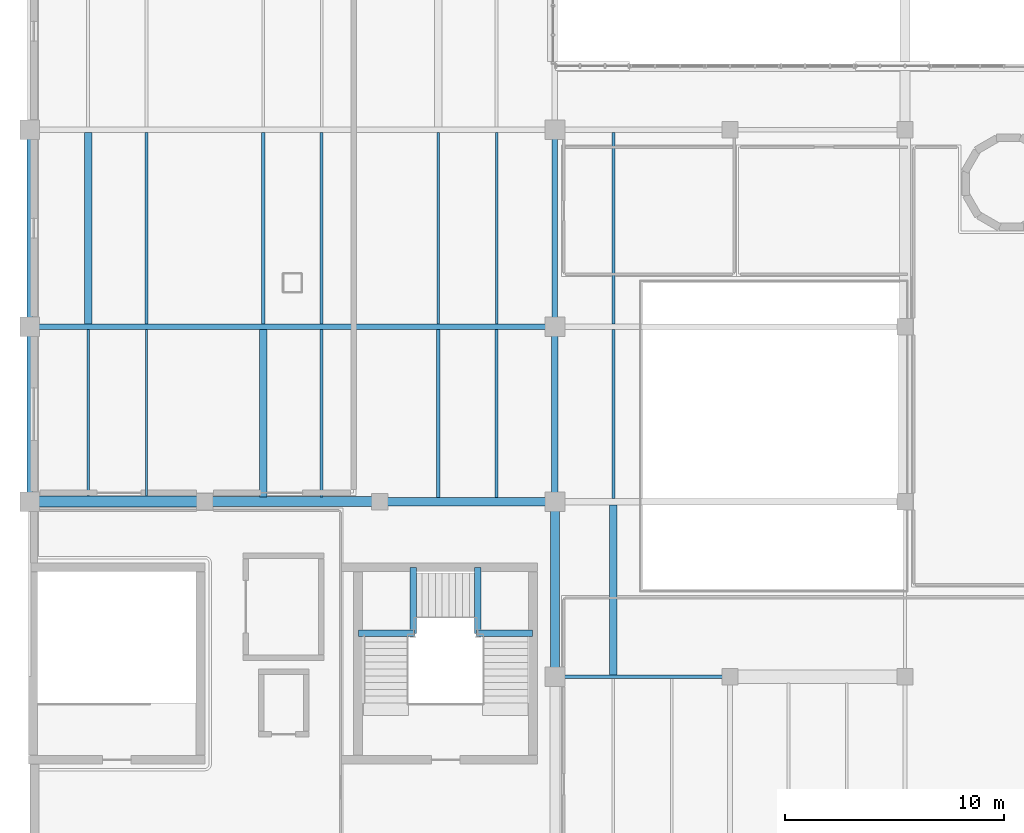
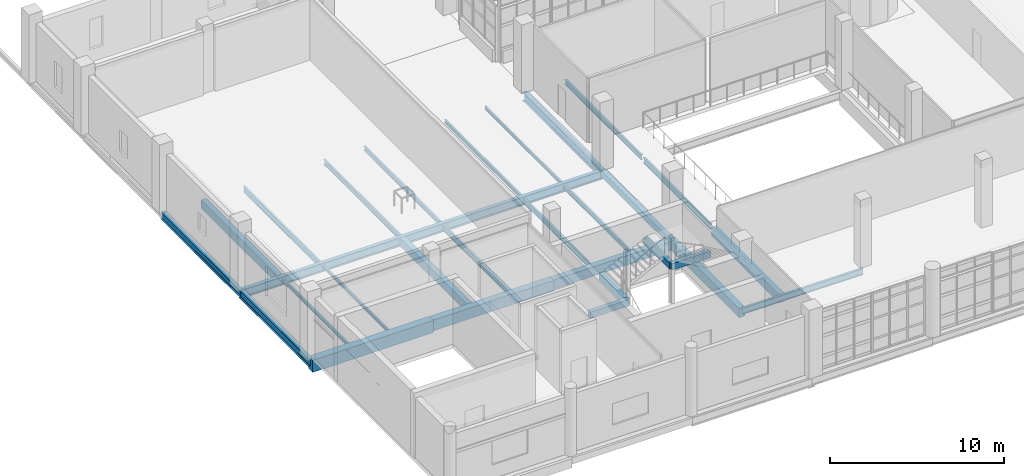
# One storey, part 16 of 100: 29 beams.
"""IFC4 building model written with IfcOpenShell, lengths in metres."""

import ifcopenshell
import ifcopenshell.guid

model = None  # the IFC model being written
_history = None  # IfcOwnerHistory: only IFC2X3 demands one
_inside = {}  # id of a spatial element -> (the spatial element, [elements in it])
_under = {}  # id of a project, library or spatial element -> (it, [spatial elements below it])
_declared = {}  # id of a project -> (the project, [libraries it declares])
_typed = {}  # id of a type object -> (the type object, [elements of that type])
_made_of = {}  # id of a material, layer set ... -> (it, [elements and type objects made of it])


def new_model(schema):
    """Start an empty IFC model of exactly this schema.

    Asked for "IFC4X3", IfcOpenShell would pick the latest addendum, in which some entities
    have other attributes; the version numbers below select the first issue.
    IFC2X3 requires an IfcOwnerHistory on every rooted entity: one is made here for all.
    """
    global model, _history
    if schema == "IFC4X3":
        model = ifcopenshell.file(schema_version=(4, 3, 0, 0))
    else:
        model = ifcopenshell.file(schema=schema)
    _inside.clear()
    _under.clear()
    _declared.clear()
    _typed.clear()
    _made_of.clear()
    _history = None
    if model.schema == "IFC2X3":
        org = make("IfcOrganization", Name="unknown")
        user = make(
            "IfcPersonAndOrganization",
            ThePerson=make("IfcPerson", FamilyName="unknown"),
            TheOrganization=org,
        )
        app = make(
            "IfcApplication",
            ApplicationDeveloper=org,
            Version="unknown",
            ApplicationFullName="unknown",
            ApplicationIdentifier="unknown",
        )
        _history = make(
            "IfcOwnerHistory",
            OwningUser=user,
            OwningApplication=app,
            ChangeAction="ADDED",
            CreationDate=0,
        )
    return model


def make(cls, **values):
    """One entity of the class cls with the attributes given. An attribute that is None is left unset."""
    return model.create_entity(
        cls, **{name: value for name, value in values.items() if value is not None}
    )


def rooted(cls, **values):
    """An entity with a GlobalId (a new one), such as an element, a storey or a relation."""
    return make(cls, GlobalId=ifcopenshell.guid.new(), OwnerHistory=_history, **values)


def si_unit(unit_type, name, prefix=None):
    """IfcSIUnit, for example si_unit("LENGTHUNIT", "METRE", prefix="MILLI")."""
    return make("IfcSIUnit", UnitType=unit_type, Prefix=prefix, Name=name)


def derived_unit(unit_type, elements):
    """IfcDerivedUnit: a product of units, each with its exponent."""
    return make(
        "IfcDerivedUnit",
        Elements=[
            make("IfcDerivedUnitElement", Unit=unit, Exponent=power)
            for unit, power in elements
        ],
        UnitType=unit_type,
    )


def assignment(units):
    """IfcUnitAssignment: the units of a project."""
    return None if units is None else make("IfcUnitAssignment", Units=units)


def point(xyz):
    """IfcCartesianPoint."""
    return None if xyz is None else make("IfcCartesianPoint", Coordinates=xyz)


def direction(xyz):
    """IfcDirection."""
    return None if xyz is None else make("IfcDirection", DirectionRatios=xyz)


def frame(location, z_axis=None, x_axis=None):
    """IfcAxis2Placement3D, a coordinate frame: its origin and axes. An axis left out is left unset."""
    return make(
        "IfcAxis2Placement3D",
        Location=point(location),
        Axis=direction(z_axis),
        RefDirection=direction(x_axis),
    )


def frame_2d(location, x_axis=None):
    """IfcAxis2Placement2D, a coordinate frame in the plane: its origin and x axis."""
    return make(
        "IfcAxis2Placement2D", Location=point(location), RefDirection=direction(x_axis)
    )


def origin():
    """The frame at (0, 0, 0) with its axes left unset."""
    return frame((0.0, 0.0, 0.0))


def origin_2d():
    """The frame at (0, 0) in the plane with its x axis left unset."""
    return frame_2d((0.0, 0.0))


def place(relative_to, where):
    """IfcLocalPlacement: puts the frame where relative to a parent placement (None: the world)."""
    return make(
        "IfcLocalPlacement", PlacementRelTo=relative_to, RelativePlacement=where
    )


def context(
    kind, dimensions, precision=None, world=None, true_north=None, identifier=None
):
    """IfcGeometricRepresentationContext, for example the 3D "Model" context."""
    return make(
        "IfcGeometricRepresentationContext",
        ContextIdentifier=identifier,
        ContextType=kind,
        CoordinateSpaceDimension=dimensions,
        Precision=precision,
        WorldCoordinateSystem=world,
        TrueNorth=true_north,
    )


def subcontext(parent, identifier, kind, view, scale=None):
    """IfcGeometricRepresentationSubContext, for example "Body" below "Model"."""
    return make(
        "IfcGeometricRepresentationSubContext",
        ContextIdentifier=identifier,
        ContextType=kind,
        ParentContext=parent,
        TargetScale=scale,
        TargetView=view,
    )


def project(units=None, contexts=None):
    """IfcProject with its units and contexts."""
    return rooted(
        "IfcProject",
        Name="project",
        RepresentationContexts=contexts,
        UnitsInContext=assignment(units),
    )


def spatial(cls, under=None, at=None, **own):
    """A site, building, storey or space (cls), placed at a placement, below another one or the project."""
    s = rooted(cls, ObjectPlacement=at, **own)
    if under is not None:
        _under.setdefault(under.id(), (under, []))[1].append(s)
    return s


def profile(cls, at=None, kind="AREA", **sizes):
    """A parametric profile (cls). Its sizes go by their IFC names, for example OverallWidth=200.0."""
    return make(cls, ProfileType=kind, Position=at, **sizes)


def rectangle(**sizes):
    """IfcRectangleProfileDef."""
    return profile("IfcRectangleProfileDef", **sizes)


def i_section(**sizes):
    """IfcIShapeProfileDef."""
    return profile("IfcIShapeProfileDef", **sizes)


def extrude(swept, where, along, depth):
    """IfcExtrudedAreaSolid: the profile swept, set in the frame where, extruded along a direction by depth."""
    return make(
        "IfcExtrudedAreaSolid",
        SweptArea=swept,
        Position=where,
        ExtrudedDirection=direction(along),
        Depth=depth,
    )


def shape(context_of_items, identifier, shape_type, items):
    """IfcShapeRepresentation: the items that make up one representation, for example the "Body"."""
    return make(
        "IfcShapeRepresentation",
        ContextOfItems=context_of_items,
        RepresentationIdentifier=identifier,
        RepresentationType=shape_type,
        Items=items,
    )


def material(Name=None, Category=None):
    """IfcMaterial."""
    return make("IfcMaterial", Name=Name, Category=Category)


def material_profile(
    of_material, cross_section, Name=None, Category=None, Priority=None
):
    """IfcMaterialProfile: a cross section and its material."""
    return make(
        "IfcMaterialProfile",
        Name=Name,
        Material=of_material,
        Profile=cross_section,
        Priority=Priority,
        Category=Category,
    )


def profile_set(profiles, Name=None, composite=None):
    """IfcMaterialProfileSet."""
    return make(
        "IfcMaterialProfileSet",
        Name=Name,
        MaterialProfiles=profiles,
        CompositeProfile=composite,
    )


def made_of(thing, what):
    """Note that an element or type object is made of a material, layer set ...; save() writes the relation."""
    if what is not None:
        _made_of.setdefault(what.id(), (what, []))[1].append(thing)
    return thing


def type_object(cls, material=None, **own):
    """A type object (cls), such as IfcWallType, which elements share."""
    return made_of(rooted(cls, **own), material)


def element(
    cls,
    number,
    at=None,
    inside=None,
    cuts=None,
    type_object=None,
    material=None,
    context=None,
    identifier="Body",
    shape_type=None,
    held_by="IfcProductDefinitionShape",
    body=None,
    shapes=None,
    **own,
):
    """One element of the class cls, such as IfcWall. Its Tag is "e" and its number.

    at: its placement. inside: the storey or other place that contains it. cuts: it is an
    opening in that element (IfcRelVoidsElement). A single representation is given by context,
    identifier, shape_type and body (its items); several are given by shapes. held_by: the class
    of the entity that holds the representations. save() writes the other relations.
    """
    e = rooted(cls, Tag="e%d" % number, ObjectPlacement=at, **own)
    if body is not None:
        shapes = [shape(context, identifier, shape_type, body)]
    if shapes is not None:
        e.Representation = make(held_by, Representations=shapes)
    if inside is not None:
        _inside.setdefault(inside.id(), (inside, []))[1].append(e)
    if cuts is not None:
        rooted(
            "IfcRelVoidsElement", RelatingBuildingElement=cuts, RelatedOpeningElement=e
        )
    if type_object is not None:
        _typed.setdefault(type_object.id(), (type_object, []))[1].append(e)
    return made_of(e, material)


def aggregate(whole, parts):
    """IfcRelAggregates: a whole, such as a stair, and the parts it consists of."""
    return rooted("IfcRelAggregates", RelatingObject=whole, RelatedObjects=parts)


def save(model, path):
    """Write the relations noted so far, then the file.

    IfcRelAggregates (storeys below a building ...), IfcRelContainedInSpatialStructure (elements
    in a storey), IfcRelDefinesByType, IfcRelAssociatesMaterial and IfcRelDeclares: one each for
    every whole, place, type object, material and project.
    """
    for whole, parts in _under.values():
        aggregate(whole, parts)
    for where, things in _inside.values():
        rooted(
            "IfcRelContainedInSpatialStructure",
            RelatedElements=things,
            RelatingStructure=where,
        )
    for kind, things in _typed.values():
        rooted("IfcRelDefinesByType", RelatedObjects=things, RelatingType=kind)
    for what, things in _made_of.values():
        rooted("IfcRelAssociatesMaterial", RelatedObjects=things, RelatingMaterial=what)
    for by, libraries in _declared.values():
        rooted("IfcRelDeclares", RelatingContext=by, RelatedDefinitions=libraries)
    model.write(path)


model = new_model("IFC4")

# Units and contexts
model_context = context("Model", 3, precision=1e-05, world=origin(), true_north=direction((0.0, 1.0)))
body_context = subcontext(model_context, "Body", "Model", "MODEL_VIEW")
ifc_project = project(units=[si_unit("LENGTHUNIT", "METRE"), si_unit("AREAUNIT", "SQUARE_METRE"), si_unit("VOLUMEUNIT", "CUBIC_METRE"), si_unit("PLANEANGLEUNIT", "RADIAN"), si_unit("MASSUNIT", "GRAM", prefix="KILO"), derived_unit("THERMALTRANSMITTANCEUNIT", [(si_unit("POWERUNIT", "WATT"), 1), (si_unit("LENGTHUNIT", "METRE"), -2), (si_unit("THERMODYNAMICTEMPERATUREUNIT", "KELVIN"), -1)])], contexts=[model_context])

# Site, building, storey
site_placement = place(None, origin())
site = spatial("IfcSite", under=ifc_project, at=site_placement, CompositionType="ELEMENT")
building_placement = place(site_placement, origin())
building = spatial("IfcBuilding", under=site, at=building_placement, Name="Nallur Shell Playhouse", CompositionType="ELEMENT")
storey_placement = place(building_placement, frame((0.0, 0.0, 10.199951171875)))
storey = spatial("IfcBuildingStorey", under=building, at=storey_placement, Name="L03", CompositionType="ELEMENT", Elevation=10.199951171875)

# Beams
ifc_material_1 = material(Name="Steel E250", Category="steel")
ifc_material_profile_1 = material_profile(ifc_material_1, i_section(OverallWidth=0.110107421875, OverallDepth=0.22509765625, WebThickness=0.006591796875, FlangeThickness=0.01171875, FilletRadius=0.011962890625, at=origin_2d()), Name="ISMB 225")
ifc_profile_set_1 = profile_set([ifc_material_profile_1], Name="Steel E250")
beam_type_1 = type_object("IfcBeamType", Name="BM-JST-ISMB225", PredefinedType="JOIST", material=ifc_profile_set_1)
beam_1_placement = place(storey_placement, frame((21.333251953125, 24.248046875, -0.37255859375), z_axis=(0.0, 1.0, 0.0), x_axis=(-1.0, 0.0, 0.0)))
element("IfcBeam", 1, at=beam_1_placement, inside=storey, type_object=beam_type_1, Name="L03 secondary joist 2-C-689", PredefinedType="JOIST", context=body_context, shape_type="SweptSolid", body=[
    extrude(i_section(OverallWidth=0.110107421875, OverallDepth=0.22509765625, WebThickness=0.006591796875, FlangeThickness=0.01171875, FilletRadius=0.011962890625, at=origin_2d()), origin(), (0.0, 0.0, 1.0), 7.62890625),
])
beam_2_placement = place(storey_placement, frame((37.333251953125, 32.123046875, -0.37255859375), z_axis=(0.0, 1.0, 0.0), x_axis=(-1.0, 0.0, 0.0)))
element("IfcBeam", 2, at=beam_2_placement, inside=storey, type_object=beam_type_1, Name="L03 secondary joist 4-D-707", PredefinedType="JOIST", context=body_context, shape_type="SweptSolid", body=[
    extrude(i_section(OverallWidth=0.110107421875, OverallDepth=0.22509765625, WebThickness=0.006591796875, FlangeThickness=0.01171875, FilletRadius=0.011962890625, at=origin_2d()), origin(), (0.0, 0.0, 1.0), 8.75390625),
])
ifc_material_profile_2 = material_profile(ifc_material_1, i_section(OverallWidth=0.125, OverallDepth=0.25, WebThickness=0.0068359375, FlangeThickness=0.012451171875, FilletRadius=0.012939453125, at=origin_2d()), Name="ISMB 250")
ifc_profile_set_2 = profile_set([ifc_material_profile_2], Name="Steel E250")
beam_type_2 = type_object("IfcBeamType", Name="BM-JST-ISMB250", PredefinedType="JOIST", material=ifc_profile_set_2)
beam_3_placement = place(storey_placement, frame((18.666748046875, 24.248046875, -0.385009765625), z_axis=(0.0, 1.0, 0.0), x_axis=(-1.0, 0.0, 0.0)))
element("IfcBeam", 3, at=beam_3_placement, inside=storey, type_object=beam_type_2, Name="L03 secondary joist 2-C-688", PredefinedType="JOIST", context=body_context, shape_type="SweptSolid", body=[
    extrude(i_section(OverallWidth=0.125, OverallDepth=0.25, WebThickness=0.0068359375, FlangeThickness=0.012451171875, FilletRadius=0.012939453125, at=origin_2d()), origin(), (0.0, 0.0, 1.0), 7.62890625),
])
beam_4_placement = place(storey_placement, frame((34.666748046875, 32.123046875, -0.385009765625), z_axis=(0.0, 1.0, 0.0), x_axis=(-1.0, 0.0, 0.0)))
element("IfcBeam", 4, at=beam_4_placement, inside=storey, type_object=beam_type_2, Name="L03 secondary joist 4-D-706", PredefinedType="JOIST", context=body_context, shape_type="SweptSolid", body=[
    extrude(i_section(OverallWidth=0.125, OverallDepth=0.25, WebThickness=0.0068359375, FlangeThickness=0.012451171875, FilletRadius=0.012939453125, at=origin_2d()), origin(), (0.0, 0.0, 1.0), 8.75390625),
])
ifc_material_profile_3 = material_profile(ifc_material_1, i_section(OverallWidth=0.139892578125, OverallDepth=0.300048828125, WebThickness=0.0078125, FlangeThickness=0.01318359375, FilletRadius=0.013916015625, at=origin_2d()), Name="ISMB 300")
ifc_profile_set_3 = profile_set([ifc_material_profile_3], Name="Steel E250")
beam_type_3 = type_object("IfcBeamType", Name="BM-JST-ISMB300", PredefinedType="JOIST", material=ifc_profile_set_3)
beam_5_placement = place(storey_placement, frame((29.333251953125, 32.123046875, -0.409912109375), z_axis=(0.0, 1.0, 0.0), x_axis=(-1.0, 0.0, 0.0)))
element("IfcBeam", 5, at=beam_5_placement, inside=storey, type_object=beam_type_3, Name="L03 secondary joist 3-D-699", PredefinedType="JOIST", context=body_context, shape_type="SweptSolid", body=[
    extrude(i_section(OverallWidth=0.139892578125, OverallDepth=0.300048828125, WebThickness=0.0078125, FlangeThickness=0.01318359375, FilletRadius=0.013916015625, at=origin_2d()), origin(), (0.0, 0.0, 1.0), 8.75390625),
])
beam_6_placement = place(storey_placement, frame((37.333251953125, 24.197998046875, -0.409912109375), z_axis=(0.0, 1.0, 0.0), x_axis=(-1.0, 0.0, 0.0)))
element("IfcBeam", 6, at=beam_6_placement, inside=storey, type_object=beam_type_3, Name="L03 secondary joist 4-C-705", PredefinedType="JOIST", context=body_context, shape_type="SweptSolid", body=[
    extrude(i_section(OverallWidth=0.139892578125, OverallDepth=0.300048828125, WebThickness=0.0078125, FlangeThickness=0.01318359375, FilletRadius=0.013916015625, at=origin_2d()), origin(), (0.0, 0.0, 1.0), 7.678955078125),
])
ifc_material_profile_4 = material_profile(ifc_material_1, i_section(OverallWidth=0.139892578125, OverallDepth=0.35009765625, WebThickness=0.008056640625, FlangeThickness=0.01416015625, FilletRadius=0.013916015625, at=origin_2d()), Name="ISMB 350")
ifc_profile_set_4 = profile_set([ifc_material_profile_4], Name="Steel E250")
beam_type_4 = type_object("IfcBeamType", Name="BM-JST-ISMB350", PredefinedType="JOIST", material=ifc_profile_set_4)
beam_7_placement = place(storey_placement, frame((26.666748046875, 32.123046875, -0.43505859375), z_axis=(0.0, 1.0, 0.0), x_axis=(-1.0, 0.0, 0.0)))
element("IfcBeam", 7, at=beam_7_placement, inside=storey, type_object=beam_type_4, Name="L03 secondary joist 3-D-698", PredefinedType="JOIST", context=body_context, shape_type="SweptSolid", body=[
    extrude(i_section(OverallWidth=0.139892578125, OverallDepth=0.35009765625, WebThickness=0.008056640625, FlangeThickness=0.01416015625, FilletRadius=0.013916015625, at=origin_2d()), origin(), (0.0, 0.0, 1.0), 8.75390625),
])
beam_8_placement = place(storey_placement, frame((34.666748046875, 24.197998046875, -0.43505859375), z_axis=(0.0, 1.0, 0.0), x_axis=(-1.0, 0.0, 0.0)))
element("IfcBeam", 8, at=beam_8_placement, inside=storey, type_object=beam_type_4, Name="L03 secondary joist 4-C-704", PredefinedType="JOIST", context=body_context, shape_type="SweptSolid", body=[
    extrude(i_section(OverallWidth=0.139892578125, OverallDepth=0.35009765625, WebThickness=0.008056640625, FlangeThickness=0.01416015625, FilletRadius=0.013916015625, at=origin_2d()), origin(), (0.0, 0.0, 1.0), 7.678955078125),
])
beam_9_placement = place(storey_placement, frame((42.666748046875, 32.123046875, -0.43505859375), z_axis=(0.0, 1.0, 0.0), x_axis=(-1.0, 0.0, 0.0)))
element("IfcBeam", 9, at=beam_9_placement, inside=storey, type_object=beam_type_4, Name="L03 secondary joist 5-D-716", PredefinedType="JOIST", context=body_context, shape_type="SweptSolid", body=[
    extrude(i_section(OverallWidth=0.139892578125, OverallDepth=0.35009765625, WebThickness=0.008056640625, FlangeThickness=0.01416015625, FilletRadius=0.013916015625, at=origin_2d()), origin(), (0.0, 0.0, 1.0), 8.75390625),
])
ifc_material_profile_5 = material_profile(ifc_material_1, i_section(OverallWidth=0.139892578125, OverallDepth=0.39990234375, WebThickness=0.0087890625, FlangeThickness=0.01611328125, FilletRadius=0.013916015625, at=origin_2d()), Name="ISMB 400")
ifc_profile_set_5 = profile_set([ifc_material_profile_5], Name="Steel E250")
beam_type_5 = type_object("IfcBeamType", Name="BM-JST-ISMB400", PredefinedType="JOIST", material=ifc_profile_set_5)
beam_10_placement = place(storey_placement, frame((21.333251953125, 32.123046875, -0.4599609375), z_axis=(0.0, 1.0, 0.0), x_axis=(-1.0, 0.0, 0.0)))
element("IfcBeam", 10, at=beam_10_placement, inside=storey, type_object=beam_type_5, Name="L03 secondary joist 2-D-691", PredefinedType="JOIST", context=body_context, shape_type="SweptSolid", body=[
    extrude(i_section(OverallWidth=0.139892578125, OverallDepth=0.39990234375, WebThickness=0.0087890625, FlangeThickness=0.01611328125, FilletRadius=0.013916015625, at=origin_2d()), origin(), (0.0, 0.0, 1.0), 8.75390625),
])
beam_11_placement = place(storey_placement, frame((29.333251953125, 24.222900390625, -0.4599609375), z_axis=(0.0, 1.0, 0.0), x_axis=(-1.0, 0.0, 0.0)))
element("IfcBeam", 11, at=beam_11_placement, inside=storey, type_object=beam_type_5, Name="L03 secondary joist 3-C-697", PredefinedType="JOIST", context=body_context, shape_type="SweptSolid", body=[
    extrude(i_section(OverallWidth=0.139892578125, OverallDepth=0.39990234375, WebThickness=0.0087890625, FlangeThickness=0.01611328125, FilletRadius=0.013916015625, at=origin_2d()), origin(), (0.0, 0.0, 1.0), 7.654052734375),
])
beam_12_placement = place(storey_placement, frame((42.666748046875, 24.14794921875, -0.4599609375), z_axis=(0.0, 1.0, 0.0), x_axis=(-1.0, 0.0, 0.0)))
element("IfcBeam", 12, at=beam_12_placement, inside=storey, type_object=beam_type_5, Name="L03 secondary joist 5-C-715", PredefinedType="JOIST", context=body_context, shape_type="SweptSolid", body=[
    extrude(i_section(OverallWidth=0.139892578125, OverallDepth=0.39990234375, WebThickness=0.0087890625, FlangeThickness=0.01611328125, FilletRadius=0.013916015625, at=origin_2d()), origin(), (0.0, 0.0, 1.0), 7.72900390625),
])
ifc_material_2 = material(Name="Concrete M30", Category="concrete")
ifc_material_profile_6 = material_profile(ifc_material_2, rectangle(XDim=0.35009765625, YDim=0.60009765625, at=origin_2d()), Name="RC 350x600")
ifc_profile_set_6 = profile_set([ifc_material_profile_6], Name="Concrete M30")
beam_type_6 = type_object("IfcBeamType", Name="BM-RC-350x600", PredefinedType="JOIST", material=ifc_profile_set_6)
beam_13_placement = place(storey_placement, frame((18.666748046875, 32.123046875, -0.56005859375), z_axis=(0.0, 1.0, 0.0), x_axis=(-1.0, 0.0, 0.0)))
element("IfcBeam", 13, at=beam_13_placement, inside=storey, type_object=beam_type_6, Name="L03 secondary joist 2-D-690", PredefinedType="JOIST", context=body_context, shape_type="SweptSolid", body=[
    extrude(rectangle(XDim=0.35009765625, YDim=0.60009765625, at=origin_2d()), origin(), (0.0, 0.0, 1.0), 8.75390625),
])
beam_14_placement = place(storey_placement, frame((26.666748046875, 24.222900390625, -0.56005859375), z_axis=(0.0, 1.0, 0.0), x_axis=(-1.0, 0.0, 0.0)))
element("IfcBeam", 14, at=beam_14_placement, inside=storey, type_object=beam_type_6, Name="L03 secondary joist 3-C-696", PredefinedType="JOIST", context=body_context, shape_type="SweptSolid", body=[
    extrude(rectangle(XDim=0.35009765625, YDim=0.60009765625, at=origin_2d()), origin(), (0.0, 0.0, 1.0), 7.654052734375),
])
beam_15_placement = place(storey_placement, frame((42.666748046875, 16.072998046875, -0.56005859375), z_axis=(0.0, 1.0, 0.0), x_axis=(-1.0, 0.0, 0.0)))
element("IfcBeam", 15, at=beam_15_placement, inside=storey, type_object=beam_type_6, Name="L03 secondary joist 5-B-714", PredefinedType="JOIST", context=body_context, shape_type="SweptSolid", body=[
    extrude(rectangle(XDim=0.35009765625, YDim=0.60009765625, at=origin_2d()), origin(), (0.0, 0.0, 1.0), 7.779052734375),
])
ifc_material_3 = material(Name="Concrete M35", Category="concrete")
ifc_material_profile_7 = material_profile(ifc_material_3, rectangle(XDim=0.39990234375, YDim=0.64990234375, at=origin_2d()), Name="RC 400x650")
ifc_profile_set_7 = profile_set([ifc_material_profile_7], Name="Concrete M35")
beam_type_7 = type_object("IfcBeamType", Name="BM-RC-400x650", PredefinedType="BEAM", material=ifc_profile_set_7)
for number, where, z_axis, x_axis, name in (
    (16, (32.0, 24.0, -0.5849609375), (1.0, 0.0, 0.0), (0.0, 1.0, 0.0), "L03 girder X-C-591"),
    (17, (40.0, 16.0, -0.5849609375), (0.0, 1.0, 0.0), (-1.0, 0.0, 0.0), "L03 girder Y-5-639"),
):
    element("IfcBeam", number, at=place(storey_placement, frame(where, z_axis=z_axis, x_axis=x_axis)), inside=storey, type_object=beam_type_7, Name=name, PredefinedType="BEAM", context=body_context, shape_type="SweptSolid", body=[
        extrude(rectangle(XDim=0.39990234375, YDim=0.64990234375, at=origin_2d()), origin(), (0.0, 0.0, 1.0), 8.0),
    ])
ifc_material_profile_8 = material_profile(ifc_material_3, rectangle(XDim=0.449951171875, YDim=0.75, at=origin_2d()), Name="RC 450x750")
ifc_profile_set_8 = profile_set([ifc_material_profile_8], Name="Concrete M35")
beam_type_8 = type_object("IfcBeamType", Name="BM-RC-450x750", PredefinedType="BEAM", material=ifc_profile_set_8)
beam_16_placement = place(storey_placement, frame((24.0, 24.0, -0.635009765625), z_axis=(1.0, 0.0, 0.0), x_axis=(0.0, 1.0, 0.0)))
element("IfcBeam", 18, at=beam_16_placement, inside=storey, type_object=beam_type_8, Name="L03 girder X-C-590", PredefinedType="BEAM", context=body_context, shape_type="SweptSolid", body=[
    extrude(rectangle(XDim=0.449951171875, YDim=0.75, at=origin_2d()), origin(), (0.0, 0.0, 1.0), 8.0),
])
ifc_material_4 = material(Name="Concrete M40", Category="concrete")
ifc_material_profile_9 = material_profile(ifc_material_4, rectangle(XDim=0.5, YDim=0.85009765625, at=origin_2d()), Name="RC 500x850")
ifc_profile_set_9 = profile_set([ifc_material_profile_9], Name="Concrete M40")
beam_type_9 = type_object("IfcBeamType", Name="BM-RC-500x850", PredefinedType="BEAM", material=ifc_profile_set_9)
beam_17_placement = place(storey_placement, frame((16.0, 24.0, -0.68505859375), z_axis=(1.0, 0.0, 0.0), x_axis=(0.0, 1.0, 0.0)))
element("IfcBeam", 19, at=beam_17_placement, inside=storey, type_object=beam_type_9, Name="L03 girder X-C-589", PredefinedType="BEAM", context=body_context, shape_type="SweptSolid", body=[
    extrude(rectangle(XDim=0.5, YDim=0.85009765625, at=origin_2d()), origin(), (0.0, 0.0, 1.0), 8.0),
])
ifc_material_profile_10 = material_profile(ifc_material_3, rectangle(XDim=0.300048828125, YDim=0.449951171875, at=origin_2d()), Name="RC 300x450")
ifc_profile_set_10 = profile_set([ifc_material_profile_10], Name="Concrete M35")
beam_type_10 = type_object("IfcBeamType", Name="BM-SPN-300x450", PredefinedType="SPANDREL", material=ifc_profile_set_10)
beam_18_placement = place(storey_placement, frame((40.0, 24.0, -0.48486328125), z_axis=(0.0, 1.0, 0.0), x_axis=(-1.0, 0.0, 0.0)))
element("IfcBeam", 20, at=beam_18_placement, inside=storey, type_object=beam_type_10, Name="L03 girder Y-5-640", PredefinedType="SPANDREL", context=body_context, shape_type="SweptSolid", body=[
    extrude(rectangle(XDim=0.300048828125, YDim=0.449951171875, at=origin_2d()), origin(), (0.0, 0.0, 1.0), 8.0),
])
beam_19_placement = place(storey_placement, frame((31.02001953125, 17.97998046875, 1.22509765625), z_axis=(1.0, 0.0, 0.0), x_axis=(0.0, 1.0, 0.0)))
element("IfcBeam", 21, at=beam_19_placement, inside=storey, type_object=beam_type_10, Name="Stair ST-01-L03 L1 south bearer beam", PredefinedType="SPANDREL", context=body_context, shape_type="SweptSolid", body=[
    extrude(rectangle(XDim=0.300048828125, YDim=0.449951171875, at=origin_2d()), origin(), (0.0, 0.0, 1.0), 2.56005859375),
])
beam_20_placement = place(storey_placement, frame((33.52001953125, 17.97998046875, 1.22509765625), z_axis=(0.0, 1.0, 0.0), x_axis=(-1.0, 0.0, 0.0)))
element("IfcBeam", 22, at=beam_20_placement, inside=storey, type_object=beam_type_10, Name="Stair ST-01-L03 L1 east bearer beam", PredefinedType="SPANDREL", context=body_context, shape_type="SweptSolid", body=[
    extrude(rectangle(XDim=0.300048828125, YDim=0.449951171875, at=origin_2d()), origin(), (0.0, 0.0, 1.0), 3.0),
])
beam_21_placement = place(storey_placement, frame((36.419921875, 17.97998046875, 2.72509765625), z_axis=(1.0, 0.0, 0.0), x_axis=(0.0, 1.0, 0.0)))
element("IfcBeam", 23, at=beam_21_placement, inside=storey, type_object=beam_type_10, Name="Stair ST-01-L03 L2 south bearer beam", PredefinedType="SPANDREL", context=body_context, shape_type="SweptSolid", body=[
    extrude(rectangle(XDim=0.300048828125, YDim=0.449951171875, at=origin_2d()), origin(), (0.0, 0.0, 1.0), 2.56005859375),
])
beam_22_placement = place(storey_placement, frame((36.47998046875, 17.97998046875, 2.72509765625), z_axis=(0.0, 1.0, 0.0), x_axis=(-1.0, 0.0, 0.0)))
element("IfcBeam", 24, at=beam_22_placement, inside=storey, type_object=beam_type_10, Name="Stair ST-01-L03 L2 west bearer beam", PredefinedType="SPANDREL", context=body_context, shape_type="SweptSolid", body=[
    extrude(rectangle(XDim=0.300048828125, YDim=0.449951171875, at=origin_2d()), origin(), (0.0, 0.0, 1.0), 3.0),
])
ifc_material_5 = material(Name="Steel E350", Category="steel")
ifc_material_profile_11 = material_profile(ifc_material_5, i_section(OverallWidth=0.14990234375, OverallDepth=0.449951171875, WebThickness=0.009521484375, FlangeThickness=0.017333984375, FilletRadius=0.014892578125, at=origin_2d()), Name="ISMB 450")
ifc_profile_set_11 = profile_set([ifc_material_profile_11], Name="Steel E350")
beam_type_11 = type_object("IfcBeamType", Name="BM-ST-ISMB450", PredefinedType="BEAM", material=ifc_profile_set_11)
beam_23_placement = place(storey_placement, frame((40.0, 16.0, -0.48486328125), z_axis=(1.0, 0.0, 0.0), x_axis=(0.0, 1.0, 0.0)))
element("IfcBeam", 25, at=beam_23_placement, inside=storey, type_object=beam_type_11, Name="L03 girder X-B-587", PredefinedType="BEAM", context=body_context, shape_type="SweptSolid", body=[
    extrude(i_section(OverallWidth=0.14990234375, OverallDepth=0.449951171875, WebThickness=0.009521484375, FlangeThickness=0.017333984375, FilletRadius=0.014892578125, at=origin_2d()), origin(), (0.0, 0.0, 1.0), 8.0),
])
ifc_material_profile_12 = material_profile(ifc_material_5, i_section(OverallWidth=0.25, OverallDepth=0.5, WebThickness=0.010009765625, FlangeThickness=0.0146484375, FilletRadius=0.014892578125, at=origin_2d()), Name="ISWB 500")
ifc_profile_set_12 = profile_set([ifc_material_profile_12], Name="Steel E350")
beam_type_12 = type_object("IfcBeamType", Name="BM-ST-ISWB500", PredefinedType="BEAM", material=ifc_profile_set_12)
beam_24_placement = place(storey_placement, frame((16.0, 32.0, -0.510009765625), z_axis=(0.0, 1.0, 0.0), x_axis=(-1.0, 0.0, 0.0)))
element("IfcBeam", 26, at=beam_24_placement, inside=storey, type_object=beam_type_12, Name="L03 girder Y-2-627", PredefinedType="BEAM", context=body_context, shape_type="SweptSolid", body=[
    extrude(i_section(OverallWidth=0.25, OverallDepth=0.5, WebThickness=0.010009765625, FlangeThickness=0.0146484375, FilletRadius=0.014892578125, at=origin_2d()), origin(), (0.0, 0.0, 1.0), 9.0),
])
ifc_material_profile_13 = material_profile(ifc_material_5, i_section(OverallWidth=0.25, OverallDepth=0.550048828125, WebThickness=0.010498046875, FlangeThickness=0.017578125, FilletRadius=0.01611328125, at=origin_2d()), Name="ISWB 550")
ifc_profile_set_13 = profile_set([ifc_material_profile_13], Name="Steel E350")
beam_type_13 = type_object("IfcBeamType", Name="BM-ST-ISWB550", PredefinedType="BEAM", material=ifc_profile_set_13)
beam_25_placement = place(storey_placement, frame((16.0, 24.0, -0.534912109375), z_axis=(0.0, 1.0, 0.0), x_axis=(-1.0, 0.0, 0.0)))
element("IfcBeam", 27, at=beam_25_placement, inside=storey, type_object=beam_type_13, Name="L03 girder Y-2-626", PredefinedType="BEAM", context=body_context, shape_type="SweptSolid", body=[
    extrude(i_section(OverallWidth=0.25, OverallDepth=0.550048828125, WebThickness=0.010498046875, FlangeThickness=0.017578125, FilletRadius=0.01611328125, at=origin_2d()), origin(), (0.0, 0.0, 1.0), 8.0),
])
ifc_material_profile_14 = material_profile(ifc_material_5, i_section(OverallWidth=0.25, OverallDepth=0.60009765625, WebThickness=0.01171875, FlangeThickness=0.023681640625, FilletRadius=0.01708984375, at=origin_2d()), Name="ISWB 600")
ifc_profile_set_14 = profile_set([ifc_material_profile_14], Name="Steel E350")
beam_type_14 = type_object("IfcBeamType", Name="BM-ST-ISWB600", PredefinedType="BEAM", material=ifc_profile_set_14)
beam_26_placement = place(storey_placement, frame((40.0, 32.0, -0.56005859375), z_axis=(0.0, 1.0, 0.0), x_axis=(-1.0, 0.0, 0.0)))
element("IfcBeam", 28, at=beam_26_placement, inside=storey, type_object=beam_type_14, Name="L03 girder Y-5-641", PredefinedType="BEAM", context=body_context, shape_type="SweptSolid", body=[
    extrude(i_section(OverallWidth=0.25, OverallDepth=0.60009765625, WebThickness=0.01171875, FlangeThickness=0.023681640625, FilletRadius=0.01708984375, at=origin_2d()), origin(), (0.0, 0.0, 1.0), 9.0),
])
beam_27_placement = place(storey_placement, frame((16.0, 32.0, -0.56005859375), z_axis=(1.0, 0.0, 0.0), x_axis=(0.0, 1.0, 0.0)))
element("IfcBeam", 29, at=beam_27_placement, inside=storey, type_object=beam_type_14, Name="L03 long-span hall girder Y=32.0-683", PredefinedType="BEAM", context=body_context, shape_type="SweptSolid", body=[
    extrude(i_section(OverallWidth=0.25, OverallDepth=0.60009765625, WebThickness=0.01171875, FlangeThickness=0.023681640625, FilletRadius=0.01708984375, at=origin_2d()), origin(), (0.0, 0.0, 1.0), 24.0),
])

save(model, "model.ifc")
